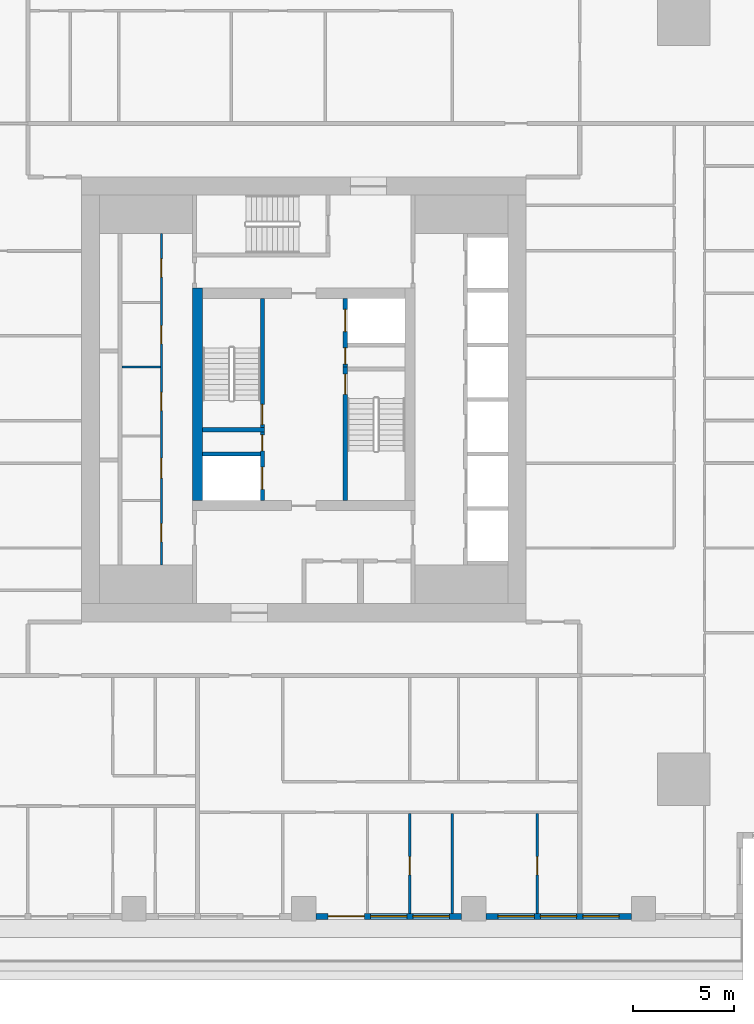
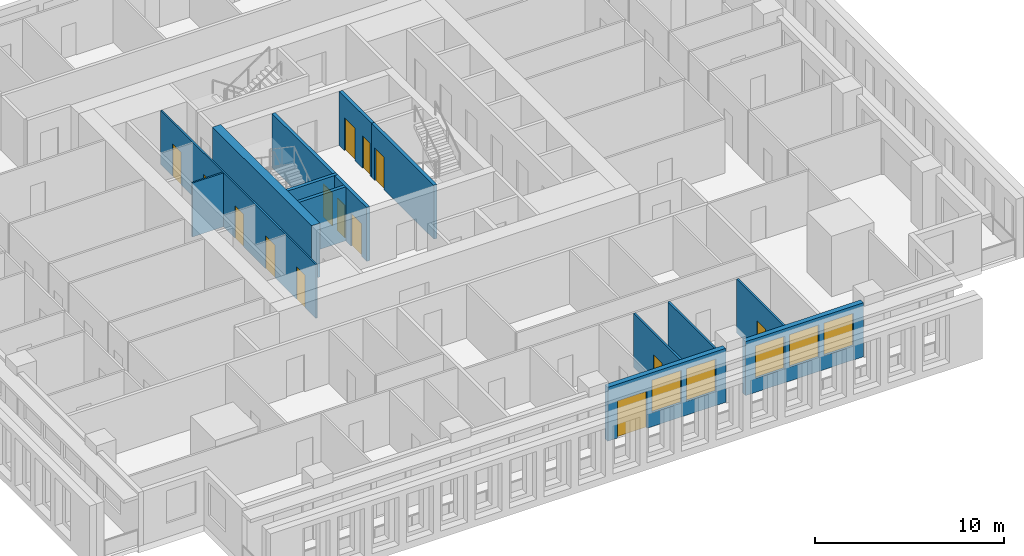
# One storey, part 4 of 16: 14 doors, 14 walls, 5 windows, 19 openings.
"""IFC4 building model written with IfcOpenShell, lengths in metres."""

from ifc_helpers import new_model, si_unit, direction, frame, frame_2d, origin, place, context, subcontext, project, spatial, rectangle, extrude, material, layer, layer_set, type_object, element, fill, save


model = new_model("IFC4")

# Units and contexts
model_context = context("Model", 3, precision=1e-05, world=origin(), true_north=direction((0.0, 1.0)))
body_context = subcontext(model_context, "Body", "Model", "MODEL_VIEW")
ifc_project = project(units=[si_unit("LENGTHUNIT", "METRE"), si_unit("AREAUNIT", "SQUARE_METRE"), si_unit("VOLUMEUNIT", "CUBIC_METRE"), si_unit("PLANEANGLEUNIT", "RADIAN"), si_unit("MASSUNIT", "GRAM", prefix="KILO")], contexts=[model_context])

# Site, building, storey
site_placement = place(None, origin())
site = spatial("IfcSite", under=ifc_project, at=site_placement, CompositionType="ELEMENT")
building_placement = place(site_placement, origin())
building = spatial("IfcBuilding", under=site, at=building_placement, Name="Khepri Terraces", CompositionType="ELEMENT")
storey_placement = place(building_placement, frame((0.0, 0.0, 168.89990234375)))
storey = spatial("IfcBuildingStorey", under=building, at=storey_placement, Name="L40", CompositionType="ELEMENT", Elevation=168.89990234375)

# Wall, opening, door
ifc_material_1 = material(Name="Concrete C60/75", Category="concrete")
ifc_layer_1 = layer(ifc_material_1, 0.199951171875, Name="Concrete C60/75", Category="concrete")
ifc_layer_set_1 = layer_set([ifc_layer_1], Name="Concrete C60/75")
wall_type_1 = type_object("IfcWallType", Name="Core wall 200 C60/75", PredefinedType="SHEAR", material=ifc_layer_set_1)
wall_1_placement = place(storey_placement, frame((2.050048828125, -5.0, 0.0), z_axis=(0.0, 0.0, 1.0), x_axis=(0.0, 1.0, 0.0)))
wall_1 = element("IfcWall", 1, at=wall_1_placement, inside=storey, type_object=wall_type_1, Name="Core wall ST01 L40", PredefinedType="SHEAR", context=body_context, shape_type="SweptSolid", body=[
    extrude(rectangle(XDim=6.60009765625, YDim=0.199951171875, at=frame_2d((3.300048828125, 0.0))), origin(), (0.0, 0.0, 1.0), 3.47998046875),
])
opening_1_placement = place(wall_1_placement, frame((5.25, 0.0, 0.0)))
opening_1 = element("IfcOpeningElement", 2, at=opening_1_placement, cuts=wall_1, Name="Opening L40-C10", PredefinedType="OPENING", context=body_context, shape_type="SweptSolid", body=[
    extrude(rectangle(XDim=1.0, YDim=2.10009765625, at=frame_2d((0.5, 1.050048828125))), frame((0.0, 0.10986328125, 0.0), z_axis=(0.0, -1.0, 0.0), x_axis=(1.0, 0.0, 0.0)), (0.0, 0.0, 1.0), 0.219970703125),
])
ifc_material_2 = material(Name="Painted steel", Category="steel")
door_type_1 = type_object("IfcDoorType", Name="DR-CORE-STAIR-1000", OperationType="NOTDEFINED", PredefinedType="DOOR", material=ifc_material_2)
door_1_placement = place(opening_1_placement, frame((1.0, 0.0, 0.0), z_axis=(0.0, 0.0, 1.0), x_axis=(-1.0, 0.0, 0.0)))
door_1 = element("IfcDoor", 3, at=door_1_placement, inside=storey, type_object=door_type_1, Name="Stair door L40-C10", OperationType="SINGLE_SWING_LEFT", OverallHeight=2.10009765625, OverallWidth=1.0, PredefinedType="DOOR", context=body_context, shape_type="SweptSolid", body=[
    extrude(rectangle(XDim=1.0, YDim=2.10009765625, at=frame_2d((0.5, 1.050048828125))), frame((0.0, 0.02490234375, 0.0), z_axis=(0.0, -1.0, 0.0), x_axis=(1.0, 0.0, 0.0)), (0.0, 0.0, 1.0), 0.050048828125),
])
fill(opening_1, door_1)

# Wall
wall_2_placement = place(storey_placement, frame((-5.0, -1.5, 0.0), z_axis=(0.0, 0.0, 1.0), x_axis=(1.0, 0.0, 0.0)))
element("IfcWall", 4, at=wall_2_placement, inside=storey, type_object=wall_type_1, Name="Core wall ST02 L40", PredefinedType="SHEAR", context=body_context, shape_type="SweptSolid", body=[
    extrude(rectangle(XDim=3.050048828125, YDim=0.199951171875, at=frame_2d((1.52490234375, 0.0))), origin(), (0.0, 0.0, 1.0), 3.47998046875),
])

# Wall, opening, door
wall_3_placement = place(storey_placement, frame((-2.050048828125, -1.39990234375, 0.0), z_axis=(0.0, 0.0, 1.0), x_axis=(0.0, 1.0, 0.0)))
wall_3 = element("IfcWall", 5, at=wall_3_placement, inside=storey, type_object=wall_type_1, Name="Core wall ST03 L40", PredefinedType="SHEAR", context=body_context, shape_type="SweptSolid", body=[
    extrude(rectangle(XDim=6.39990234375, YDim=0.199951171875, at=frame_2d((3.199951171875, 0.0))), origin(), (0.0, 0.0, 1.0), 3.47998046875),
])
opening_2_placement = place(wall_3_placement, frame((0.14990234375, 0.0, 0.0)))
opening_2 = element("IfcOpeningElement", 6, at=opening_2_placement, cuts=wall_3, Name="Opening L40-C09", PredefinedType="OPENING", context=body_context, shape_type="SweptSolid", body=[
    extrude(rectangle(XDim=1.0, YDim=2.10009765625, at=frame_2d((0.5, 1.050048828125))), frame((0.0, 0.10986328125, 0.0), z_axis=(0.0, -1.0, 0.0), x_axis=(1.0, 0.0, 0.0)), (0.0, 0.0, 1.0), 0.219970703125),
])
door_2_placement = place(opening_2_placement, origin())
door_2 = element("IfcDoor", 7, at=door_2_placement, inside=storey, type_object=door_type_1, Name="Stair door L40-C09", OperationType="SINGLE_SWING_LEFT", OverallHeight=2.10009765625, OverallWidth=1.0, PredefinedType="DOOR", context=body_context, shape_type="SweptSolid", body=[
    extrude(rectangle(XDim=1.0, YDim=2.10009765625, at=frame_2d((0.5, 1.050048828125))), frame((0.0, 0.02490234375, 0.0), z_axis=(0.0, -1.0, 0.0), x_axis=(1.0, 0.0, 0.0)), (0.0, 0.0, 1.0), 0.050048828125),
])
fill(opening_2, door_2)

# Wall, openings, doors
wall_4_placement = place(storey_placement, frame((-2.050048828125, -5.0, 0.0), z_axis=(0.0, 0.0, 1.0), x_axis=(0.0, 1.0, 0.0)))
wall_4 = element("IfcWall", 8, at=wall_4_placement, inside=storey, type_object=wall_type_1, Name="Core wall SH05 L40", PredefinedType="SHEAR", context=body_context, shape_type="SweptSolid", body=[
    extrude(rectangle(XDim=3.39990234375, YDim=0.199951171875, at=frame_2d((1.699951171875, 0.0))), origin(), (0.0, 0.0, 1.0), 3.47998046875),
])
opening_3_placement = place(wall_4_placement, frame((0.550048828125, 0.0, 0.0)))
opening_3 = element("IfcOpeningElement", 9, at=opening_3_placement, cuts=wall_4, Name="Opening L40-C08", PredefinedType="OPENING", context=body_context, shape_type="SweptSolid", body=[
    extrude(rectangle(XDim=1.10009765625, YDim=2.10009765625, at=frame_2d((0.550048828125, 1.050048828125))), frame((0.0, 0.10986328125, 0.0), z_axis=(0.0, -1.0, 0.0), x_axis=(1.0, 0.0, 0.0)), (0.0, 0.0, 1.0), 0.219970703125),
])
opening_4_placement = place(wall_4_placement, frame((2.449951171875, 0.0, 0.0)))
opening_4 = element("IfcOpeningElement", 10, at=opening_4_placement, cuts=wall_4, Name="Opening L40-C12", PredefinedType="OPENING", context=body_context, shape_type="SweptSolid", body=[
    extrude(rectangle(XDim=0.800048828125, YDim=2.10009765625, at=frame_2d((0.39990234375, 1.050048828125))), frame((0.0, 0.10986328125, 0.0), z_axis=(0.0, -1.0, 0.0), x_axis=(1.0, 0.0, 0.0)), (0.0, 0.0, 1.0), 0.219970703125),
])
ifc_material_3 = material(Name="Stainless steel 304", Category="steel")
door_type_2 = type_object("IfcDoorType", Name="DR-CORE-FF-LANDING-1100", OperationType="NOTDEFINED", PredefinedType="DOOR", material=ifc_material_3)
door_3_placement = place(opening_3_placement, origin())
door_3 = element("IfcDoor", 11, at=door_3_placement, inside=storey, type_object=door_type_2, Name="Firefighting lift landing door L40-C08", OperationType="SLIDING_TO_LEFT", OverallHeight=2.10009765625, OverallWidth=1.10009765625, PredefinedType="DOOR", context=body_context, shape_type="SweptSolid", body=[
    extrude(rectangle(XDim=1.10009765625, YDim=2.10009765625, at=frame_2d((0.550048828125, 1.050048828125))), frame((0.0, 0.02490234375, 0.0), z_axis=(0.0, -1.0, 0.0), x_axis=(1.0, 0.0, 0.0)), (0.0, 0.0, 1.0), 0.050048828125),
])
fill(opening_3, door_3)
door_type_3 = type_object("IfcDoorType", Name="DR-CORE-RISER-800", OperationType="NOTDEFINED", PredefinedType="DOOR", material=ifc_material_2)
door_4_placement = place(opening_4_placement, origin())
door_4 = element("IfcDoor", 12, at=door_4_placement, inside=storey, type_object=door_type_3, Name="Riser door L40-C12", OperationType="SINGLE_SWING_RIGHT", OverallHeight=2.10009765625, OverallWidth=0.800048828125, PredefinedType="DOOR", context=body_context, shape_type="SweptSolid", body=[
    extrude(rectangle(XDim=0.800048828125, YDim=2.10009765625, at=frame_2d((0.39990234375, 1.050048828125))), frame((0.0, 0.02490234375, 0.0), z_axis=(0.0, -1.0, 0.0), x_axis=(1.0, 0.0, 0.0)), (0.0, 0.0, 1.0), 0.050048828125),
])
fill(opening_4, door_4)

# Wall
wall_5_placement = place(storey_placement, frame((-5.0, -2.699951171875, 0.0), z_axis=(0.0, 0.0, 1.0), x_axis=(1.0, 0.0, 0.0)))
element("IfcWall", 13, at=wall_5_placement, inside=storey, type_object=wall_type_1, Name="Core wall SH07 L40", PredefinedType="SHEAR", context=body_context, shape_type="SweptSolid", body=[
    extrude(rectangle(XDim=2.85009765625, YDim=0.199951171875, at=frame_2d((1.425048828125, 0.0))), origin(), (0.0, 0.0, 1.0), 3.47998046875),
])

# Wall, openings, doors
wall_6_placement = place(storey_placement, frame((2.050048828125, 1.60009765625, 0.0), z_axis=(0.0, 0.0, 1.0), x_axis=(0.0, 1.0, 0.0)))
wall_6 = element("IfcWall", 14, at=wall_6_placement, inside=storey, type_object=wall_type_1, Name="Core wall SH10 L40", PredefinedType="SHEAR", context=body_context, shape_type="SweptSolid", body=[
    extrude(rectangle(XDim=3.39990234375, YDim=0.199951171875, at=frame_2d((1.699951171875, 0.0))), origin(), (0.0, 0.0, 1.0), 3.47998046875),
])
opening_5_placement = place(wall_6_placement, frame((1.75, 0.0, 0.0)))
opening_5 = element("IfcOpeningElement", 15, at=opening_5_placement, cuts=wall_6, Name="Opening L40-C07", PredefinedType="OPENING", context=body_context, shape_type="SweptSolid", body=[
    extrude(rectangle(XDim=1.10009765625, YDim=2.10009765625, at=frame_2d((0.550048828125, 1.050048828125))), frame((0.0, 0.10986328125, 0.0), z_axis=(0.0, -1.0, 0.0), x_axis=(1.0, 0.0, 0.0)), (0.0, 0.0, 1.0), 0.219970703125),
])
opening_6_placement = place(wall_6_placement, frame((0.14990234375, 0.0, 0.0)))
opening_6 = element("IfcOpeningElement", 16, at=opening_6_placement, cuts=wall_6, Name="Opening L40-C11", PredefinedType="OPENING", context=body_context, shape_type="SweptSolid", body=[
    extrude(rectangle(XDim=0.800048828125, YDim=2.10009765625, at=frame_2d((0.39990234375, 1.050048828125))), frame((0.0, 0.10986328125, 0.0), z_axis=(0.0, -1.0, 0.0), x_axis=(1.0, 0.0, 0.0)), (0.0, 0.0, 1.0), 0.219970703125),
])
door_5_placement = place(opening_5_placement, origin())
door_5 = element("IfcDoor", 17, at=door_5_placement, inside=storey, type_object=door_type_2, Name="Firefighting lift landing door L40-C07", OperationType="SLIDING_TO_LEFT", OverallHeight=2.10009765625, OverallWidth=1.10009765625, PredefinedType="DOOR", context=body_context, shape_type="SweptSolid", body=[
    extrude(rectangle(XDim=1.10009765625, YDim=2.10009765625, at=frame_2d((0.550048828125, 1.050048828125))), frame((0.0, 0.02490234375, 0.0), z_axis=(0.0, -1.0, 0.0), x_axis=(1.0, 0.0, 0.0)), (0.0, 0.0, 1.0), 0.050048828125),
])
fill(opening_5, door_5)
door_6_placement = place(opening_6_placement, frame((0.800048828125, 0.0, 0.0), z_axis=(0.0, 0.0, 1.0), x_axis=(-1.0, 0.0, 0.0)))
door_6 = element("IfcDoor", 18, at=door_6_placement, inside=storey, type_object=door_type_3, Name="Riser door L40-C11", OperationType="SINGLE_SWING_RIGHT", OverallHeight=2.10009765625, OverallWidth=0.800048828125, PredefinedType="DOOR", context=body_context, shape_type="SweptSolid", body=[
    extrude(rectangle(XDim=0.800048828125, YDim=2.10009765625, at=frame_2d((0.39990234375, 1.050048828125))), frame((0.0, 0.02490234375, 0.0), z_axis=(0.0, -1.0, 0.0), x_axis=(1.0, 0.0, 0.0)), (0.0, 0.0, 1.0), 0.050048828125),
])
fill(opening_6, door_6)

# Wall
ifc_layer_2 = layer(ifc_material_1, 0.5, Name="Concrete C60/75", Category="concrete")
ifc_layer_set_2 = layer_set([ifc_layer_2], Name="Concrete C60/75")
wall_type_2 = type_object("IfcWallType", Name="Core wall 500 C60/75", PredefinedType="SHEAR", material=ifc_layer_set_2)
wall_7_placement = place(storey_placement, frame((-5.25, -5.0, 0.0), z_axis=(0.0, 0.0, 1.0), x_axis=(0.0, 1.0, 0.0)))
element("IfcWall", 19, at=wall_7_placement, inside=storey, type_object=wall_type_2, Name="Core wall BX02 L40", PredefinedType="SHEAR", context=body_context, shape_type="SweptSolid", body=[
    extrude(rectangle(XDim=10.5, YDim=0.5, at=frame_2d((5.25, 0.0))), origin(), (0.0, 0.0, 1.0), 3.47998046875),
])

# Wall, openings, doors
ifc_material_4 = material(Name="Fire-rated gypsum board partition")
ifc_layer_3 = layer(ifc_material_4, 0.10009765625, Name="Fire-rated gypsum board partition")
ifc_layer_set_3 = layer_set([ifc_layer_3], Name="Fire-rated gypsum board partition")
wall_type_3 = type_object("IfcWallType", Name="WL-CORE-PART-100", PredefinedType="PARTITIONING", material=ifc_layer_set_3)
wall_8_placement = place(storey_placement, frame((-7.050048828125, -8.199951171875, 0.0), z_axis=(0.0, 0.0, 1.0), x_axis=(0.0, 1.0, 0.0)))
wall_8 = element("IfcWall", 20, at=wall_8_placement, inside=storey, type_object=wall_type_3, Name="Core partition PT05 L40", PredefinedType="PARTITIONING", context=body_context, shape_type="SweptSolid", body=[
    extrude(rectangle(XDim=16.39990234375, YDim=0.10009765625, at=frame_2d((8.199951171875, 0.0))), origin(), (0.0, 0.0, 1.0), 3.47998046875),
])
opening_7_placement = place(wall_8_placement, frame((1.14990234375, 0.0, 0.0)))
opening_7 = element("IfcOpeningElement", 21, at=opening_7_placement, cuts=wall_8, Name="Opening L40-C24", PredefinedType="OPENING", context=body_context, shape_type="SweptSolid", body=[
    extrude(rectangle(XDim=0.89990234375, YDim=2.10009765625, at=frame_2d((0.449951171875, 1.050048828125))), frame((0.0, 0.06005859375, 0.0), z_axis=(0.0, -1.0, 0.0), x_axis=(1.0, 0.0, 0.0)), (0.0, 0.0, 1.0), 0.1201171875),
])
opening_8_placement = place(wall_8_placement, frame((4.300048828125, 0.0, 0.0)))
opening_8 = element("IfcOpeningElement", 22, at=opening_8_placement, cuts=wall_8, Name="Opening L40-C25", PredefinedType="OPENING", context=body_context, shape_type="SweptSolid", body=[
    extrude(rectangle(XDim=1.0, YDim=2.10009765625, at=frame_2d((0.5, 1.050048828125))), frame((0.0, 0.06005859375, 0.0), z_axis=(0.0, -1.0, 0.0), x_axis=(1.0, 0.0, 0.0)), (0.0, 0.0, 1.0), 0.1201171875),
])
opening_9_placement = place(wall_8_placement, frame((7.64990234375, 0.0, 0.0)))
opening_9 = element("IfcOpeningElement", 23, at=opening_9_placement, cuts=wall_8, Name="Opening L40-C26", PredefinedType="OPENING", context=body_context, shape_type="SweptSolid", body=[
    extrude(rectangle(XDim=0.89990234375, YDim=2.10009765625, at=frame_2d((0.449951171875, 1.050048828125))), frame((0.0, 0.06005859375, 0.0), z_axis=(0.0, -1.0, 0.0), x_axis=(1.0, 0.0, 0.0)), (0.0, 0.0, 1.0), 0.1201171875),
])
opening_10_placement = place(wall_8_placement, frame((10.949951171875, 0.0, 0.0)))
opening_10 = element("IfcOpeningElement", 24, at=opening_10_placement, cuts=wall_8, Name="Opening L40-C27", PredefinedType="OPENING", context=body_context, shape_type="SweptSolid", body=[
    extrude(rectangle(XDim=0.89990234375, YDim=2.10009765625, at=frame_2d((0.449951171875, 1.050048828125))), frame((0.0, 0.06005859375, 0.0), z_axis=(0.0, -1.0, 0.0), x_axis=(1.0, 0.0, 0.0)), (0.0, 0.0, 1.0), 0.1201171875),
])
opening_11_placement = place(wall_8_placement, frame((14.25, 0.0, 0.0)))
opening_11 = element("IfcOpeningElement", 25, at=opening_11_placement, cuts=wall_8, Name="Opening L40-C28", PredefinedType="OPENING", context=body_context, shape_type="SweptSolid", body=[
    extrude(rectangle(XDim=0.89990234375, YDim=2.10009765625, at=frame_2d((0.449951171875, 1.050048828125))), frame((0.0, 0.06005859375, 0.0), z_axis=(0.0, -1.0, 0.0), x_axis=(1.0, 0.0, 0.0)), (0.0, 0.0, 1.0), 0.1201171875),
])
door_type_4 = type_object("IfcDoorType", Name="DR-CORE-SERVICE-900", OperationType="NOTDEFINED", PredefinedType="DOOR", material=ifc_material_2)
door_7_placement = place(opening_7_placement, origin())
door_7 = element("IfcDoor", 26, at=door_7_placement, inside=storey, type_object=door_type_4, Name="Service room door L40-C24", OperationType="SINGLE_SWING_LEFT", OverallHeight=2.10009765625, OverallWidth=0.89990234375, PredefinedType="DOOR", context=body_context, shape_type="SweptSolid", body=[
    extrude(rectangle(XDim=0.89990234375, YDim=2.10009765625, at=frame_2d((0.449951171875, 1.050048828125))), frame((0.0, 0.02490234375, 0.0), z_axis=(0.0, -1.0, 0.0), x_axis=(1.0, 0.0, 0.0)), (0.0, 0.0, 1.0), 0.050048828125),
])
fill(opening_7, door_7)
door_8_placement = place(opening_9_placement, origin())
door_8 = element("IfcDoor", 27, at=door_8_placement, inside=storey, type_object=door_type_4, Name="Service room door L40-C26", OperationType="SINGLE_SWING_LEFT", OverallHeight=2.10009765625, OverallWidth=0.89990234375, PredefinedType="DOOR", context=body_context, shape_type="SweptSolid", body=[
    extrude(rectangle(XDim=0.89990234375, YDim=2.10009765625, at=frame_2d((0.449951171875, 1.050048828125))), frame((0.0, 0.02490234375, 0.0), z_axis=(0.0, -1.0, 0.0), x_axis=(1.0, 0.0, 0.0)), (0.0, 0.0, 1.0), 0.050048828125),
])
fill(opening_9, door_8)
door_9_placement = place(opening_10_placement, origin())
door_9 = element("IfcDoor", 28, at=door_9_placement, inside=storey, type_object=door_type_4, Name="Service room door L40-C27", OperationType="SINGLE_SWING_RIGHT", OverallHeight=2.10009765625, OverallWidth=0.89990234375, PredefinedType="DOOR", context=body_context, shape_type="SweptSolid", body=[
    extrude(rectangle(XDim=0.89990234375, YDim=2.10009765625, at=frame_2d((0.449951171875, 1.050048828125))), frame((0.0, 0.02490234375, 0.0), z_axis=(0.0, -1.0, 0.0), x_axis=(1.0, 0.0, 0.0)), (0.0, 0.0, 1.0), 0.050048828125),
])
fill(opening_10, door_9)
door_10_placement = place(opening_11_placement, origin())
door_10 = element("IfcDoor", 29, at=door_10_placement, inside=storey, type_object=door_type_4, Name="Service room door L40-C28", OperationType="SINGLE_SWING_RIGHT", OverallHeight=2.10009765625, OverallWidth=0.89990234375, PredefinedType="DOOR", context=body_context, shape_type="SweptSolid", body=[
    extrude(rectangle(XDim=0.89990234375, YDim=2.10009765625, at=frame_2d((0.449951171875, 1.050048828125))), frame((0.0, 0.02490234375, 0.0), z_axis=(0.0, -1.0, 0.0), x_axis=(1.0, 0.0, 0.0)), (0.0, 0.0, 1.0), 0.050048828125),
])
fill(opening_11, door_10)
ifc_material_5 = material(Name="Timber veneer", Category="wood")
door_type_5 = type_object("IfcDoorType", Name="DR-CORE-WC-1000", OperationType="NOTDEFINED", PredefinedType="DOOR", material=ifc_material_5)
door_11_placement = place(opening_8_placement, origin())
door_11 = element("IfcDoor", 30, at=door_11_placement, inside=storey, type_object=door_type_5, Name="WC door L40-C25", OperationType="SINGLE_SWING_LEFT", OverallHeight=2.10009765625, OverallWidth=1.0, PredefinedType="DOOR", context=body_context, shape_type="SweptSolid", body=[
    extrude(rectangle(XDim=1.0, YDim=2.10009765625, at=frame_2d((0.5, 1.050048828125))), frame((0.0, 0.02490234375, 0.0), z_axis=(0.0, -1.0, 0.0), x_axis=(1.0, 0.0, 0.0)), (0.0, 0.0, 1.0), 0.050048828125),
])
fill(opening_8, door_11)

# Wall
wall_9_placement = place(storey_placement, frame((-9.0, 1.60009765625, 0.0), z_axis=(0.0, 0.0, 1.0), x_axis=(1.0, 0.0, 0.0)))
element("IfcWall", 31, at=wall_9_placement, inside=storey, type_object=wall_type_3, Name="Core partition PT10 L40", PredefinedType="PARTITIONING", context=body_context, shape_type="SweptSolid", body=[
    extrude(rectangle(XDim=1.89990234375, YDim=0.10009765625, at=frame_2d((0.949951171875, 0.0))), origin(), (0.0, 0.0, 1.0), 3.47998046875),
])

# Wall, openings, door, windows
ifc_material_6 = material(Name="Precast concrete C50/60 warm stone", Category="masonry")
ifc_layer_4 = layer(ifc_material_6, 0.300048828125, Name="Precast concrete C50/60 warm stone", Category="masonry")
ifc_layer_set_4 = layer_set([ifc_layer_4], Name="Precast concrete C50/60 warm stone")
wall_type_4 = type_object("IfcWallType", Name="WL-EXT-PRECAST-300", PredefinedType="STANDARD", material=ifc_layer_set_4)
wall_10_placement = place(storey_placement, frame((0.60009765625, -25.570068359375, 0.0), z_axis=(0.0, 0.0, 1.0), x_axis=(1.0, 0.0, 0.0)))
wall_10 = element("IfcWall", 32, at=wall_10_placement, inside=storey, type_object=wall_type_4, Name="External wall L40 S", PredefinedType="STANDARD", context=body_context, shape_type="SweptSolid", body=[
    extrude(rectangle(XDim=7.199951171875, YDim=0.300048828125, at=frame_2d((3.60009765625, 0.0))), origin(), (0.0, 0.0, 1.0), 3.47998046875),
])
opening_12_placement = place(wall_10_placement, frame((0.60009765625, 0.0, 0.0)))
opening_12 = element("IfcOpeningElement", 33, at=opening_12_placement, cuts=wall_10, Name="Opening ED-L40-14", PredefinedType="OPENING", context=body_context, shape_type="SweptSolid", body=[
    extrude(rectangle(XDim=1.800048828125, YDim=2.39990234375, at=frame_2d((0.89990234375, 1.199951171875))), frame((0.0, 0.16015625, 0.0), z_axis=(0.0, -1.0, 0.0), x_axis=(1.0, 0.0, 0.0)), (0.0, 0.0, 1.0), 0.320068359375),
])
opening_13_placement = place(wall_10_placement, frame((2.699951171875, 0.0, 0.89990234375)))
opening_13 = element("IfcOpeningElement", 34, at=opening_13_placement, cuts=wall_10, Name="Opening W1", PredefinedType="OPENING", context=body_context, shape_type="SweptSolid", body=[
    extrude(rectangle(XDim=1.800048828125, YDim=2.10009765625, at=frame_2d((0.89990234375, 1.050048828125))), frame((0.0, 0.16015625, 0.0), z_axis=(0.0, -1.0, 0.0), x_axis=(1.0, 0.0, 0.0)), (0.0, 0.0, 1.0), 0.320068359375),
])
opening_14_placement = place(wall_10_placement, frame((4.800048828125, 0.0, 0.89990234375)))
opening_14 = element("IfcOpeningElement", 35, at=opening_14_placement, cuts=wall_10, Name="Opening W1", PredefinedType="OPENING", context=body_context, shape_type="SweptSolid", body=[
    extrude(rectangle(XDim=1.800048828125, YDim=2.10009765625, at=frame_2d((0.89990234375, 1.050048828125))), frame((0.0, 0.16015625, 0.0), z_axis=(0.0, -1.0, 0.0), x_axis=(1.0, 0.0, 0.0)), (0.0, 0.0, 1.0), 0.320068359375),
])
ifc_material_7 = material(Name="Anodised aluminium bronze glazed door", Category="aluminium")
door_type_6 = type_object("IfcDoorType", Name="DR-BAL-SLIDE-1800x2400", OperationType="NOTDEFINED", PredefinedType="DOOR", material=ifc_material_7)
door_12_placement = place(opening_12_placement, origin())
door_12 = element("IfcDoor", 36, at=door_12_placement, inside=storey, type_object=door_type_6, Name="Balcony door L40 S", OperationType="SLIDING_TO_LEFT", OverallHeight=2.39990234375, OverallWidth=1.800048828125, PredefinedType="DOOR", context=body_context, shape_type="SweptSolid", body=[
    extrude(rectangle(XDim=1.800048828125, YDim=2.39990234375, at=frame_2d((0.89990234375, 1.199951171875))), frame((0.0, 0.02490234375, 0.0), z_axis=(0.0, -1.0, 0.0), x_axis=(1.0, 0.0, 0.0)), (0.0, 0.0, 1.0), 0.050048828125),
])
fill(opening_12, door_12)
ifc_material_8 = material(Name="Clear glass", Category="glass")
window_type = type_object("IfcWindowType", Name="WIN-RES-1800x2100", PartitioningType="SINGLE_PANEL", PredefinedType="WINDOW", material=ifc_material_8)
window_1_placement = place(opening_13_placement, origin())
window_1 = element("IfcWindow", 37, at=window_1_placement, inside=storey, type_object=window_type, Name="Window L40 S", OverallHeight=2.10009765625, OverallWidth=1.800048828125, PartitioningType="SINGLE_PANEL", PredefinedType="WINDOW", context=body_context, shape_type="SweptSolid", body=[
    extrude(rectangle(XDim=1.800048828125, YDim=2.10009765625, at=frame_2d((0.89990234375, 1.050048828125))), frame((0.0, 0.030029296875, 0.0), z_axis=(0.0, -1.0, 0.0), x_axis=(1.0, 0.0, 0.0)), (0.0, 0.0, 1.0), 0.06005859375),
])
fill(opening_13, window_1)
window_2_placement = place(opening_14_placement, origin())
window_2 = element("IfcWindow", 38, at=window_2_placement, inside=storey, type_object=window_type, Name="Window L40 S", OverallHeight=2.10009765625, OverallWidth=1.800048828125, PartitioningType="SINGLE_PANEL", PredefinedType="WINDOW", context=body_context, shape_type="SweptSolid", body=[
    extrude(rectangle(XDim=1.800048828125, YDim=2.10009765625, at=frame_2d((0.89990234375, 1.050048828125))), frame((0.0, 0.030029296875, 0.0), z_axis=(0.0, -1.0, 0.0), x_axis=(1.0, 0.0, 0.0)), (0.0, 0.0, 1.0), 0.06005859375),
])
fill(opening_14, window_2)

# Wall, openings, windows
wall_11_placement = place(storey_placement, frame((9.0, -25.570068359375, 0.0), z_axis=(0.0, 0.0, 1.0), x_axis=(1.0, 0.0, 0.0)))
wall_11 = element("IfcWall", 39, at=wall_11_placement, inside=storey, type_object=wall_type_4, Name="External wall L40 S", PredefinedType="STANDARD", context=body_context, shape_type="SweptSolid", body=[
    extrude(rectangle(XDim=7.199951171875, YDim=0.300048828125, at=frame_2d((3.60009765625, 0.0))), origin(), (0.0, 0.0, 1.0), 3.47998046875),
])
opening_15_placement = place(wall_11_placement, frame((0.60009765625, 0.0, 0.89990234375)))
opening_15 = element("IfcOpeningElement", 40, at=opening_15_placement, cuts=wall_11, Name="Opening W1", PredefinedType="OPENING", context=body_context, shape_type="SweptSolid", body=[
    extrude(rectangle(XDim=1.800048828125, YDim=2.10009765625, at=frame_2d((0.89990234375, 1.050048828125))), frame((0.0, 0.16015625, 0.0), z_axis=(0.0, -1.0, 0.0), x_axis=(1.0, 0.0, 0.0)), (0.0, 0.0, 1.0), 0.320068359375),
])
opening_16_placement = place(wall_11_placement, frame((2.699951171875, 0.0, 0.89990234375)))
opening_16 = element("IfcOpeningElement", 41, at=opening_16_placement, cuts=wall_11, Name="Opening W1", PredefinedType="OPENING", context=body_context, shape_type="SweptSolid", body=[
    extrude(rectangle(XDim=1.800048828125, YDim=2.10009765625, at=frame_2d((0.89990234375, 1.050048828125))), frame((0.0, 0.16015625, 0.0), z_axis=(0.0, -1.0, 0.0), x_axis=(1.0, 0.0, 0.0)), (0.0, 0.0, 1.0), 0.320068359375),
])
opening_17_placement = place(wall_11_placement, frame((4.800048828125, 0.0, 0.89990234375)))
opening_17 = element("IfcOpeningElement", 42, at=opening_17_placement, cuts=wall_11, Name="Opening W1", PredefinedType="OPENING", context=body_context, shape_type="SweptSolid", body=[
    extrude(rectangle(XDim=1.800048828125, YDim=2.10009765625, at=frame_2d((0.89990234375, 1.050048828125))), frame((0.0, 0.16015625, 0.0), z_axis=(0.0, -1.0, 0.0), x_axis=(1.0, 0.0, 0.0)), (0.0, 0.0, 1.0), 0.320068359375),
])
window_3_placement = place(opening_15_placement, origin())
window_3 = element("IfcWindow", 43, at=window_3_placement, inside=storey, type_object=window_type, Name="Window L40 S", OverallHeight=2.10009765625, OverallWidth=1.800048828125, PartitioningType="SINGLE_PANEL", PredefinedType="WINDOW", context=body_context, shape_type="SweptSolid", body=[
    extrude(rectangle(XDim=1.800048828125, YDim=2.10009765625, at=frame_2d((0.89990234375, 1.050048828125))), frame((0.0, 0.030029296875, 0.0), z_axis=(0.0, -1.0, 0.0), x_axis=(1.0, 0.0, 0.0)), (0.0, 0.0, 1.0), 0.06005859375),
])
fill(opening_15, window_3)
window_4_placement = place(opening_16_placement, origin())
window_4 = element("IfcWindow", 44, at=window_4_placement, inside=storey, type_object=window_type, Name="Window L40 S", OverallHeight=2.10009765625, OverallWidth=1.800048828125, PartitioningType="SINGLE_PANEL", PredefinedType="WINDOW", context=body_context, shape_type="SweptSolid", body=[
    extrude(rectangle(XDim=1.800048828125, YDim=2.10009765625, at=frame_2d((0.89990234375, 1.050048828125))), frame((0.0, 0.030029296875, 0.0), z_axis=(0.0, -1.0, 0.0), x_axis=(1.0, 0.0, 0.0)), (0.0, 0.0, 1.0), 0.06005859375),
])
fill(opening_16, window_4)
window_5_placement = place(opening_17_placement, origin())
window_5 = element("IfcWindow", 45, at=window_5_placement, inside=storey, type_object=window_type, Name="Window L40 S", OverallHeight=2.10009765625, OverallWidth=1.800048828125, PartitioningType="SINGLE_PANEL", PredefinedType="WINDOW", context=body_context, shape_type="SweptSolid", body=[
    extrude(rectangle(XDim=1.800048828125, YDim=2.10009765625, at=frame_2d((0.89990234375, 1.050048828125))), frame((0.0, 0.030029296875, 0.0), z_axis=(0.0, -1.0, 0.0), x_axis=(1.0, 0.0, 0.0)), (0.0, 0.0, 1.0), 0.06005859375),
])
fill(opening_17, window_5)

# Wall, opening, door
ifc_material_9 = material(Name="Gypsum plasterboard partition")
ifc_layer_5 = layer(ifc_material_9, 0.1201171875, Name="Gypsum plasterboard partition")
ifc_layer_set_5 = layer_set([ifc_layer_5], Name="Gypsum plasterboard partition")
wall_type_5 = type_object("IfcWallType", Name="WL-PART-120", PredefinedType="PARTITIONING", material=ifc_layer_set_5)
wall_12_placement = place(storey_placement, frame((5.25, -25.419921875, 0.0), z_axis=(0.0, 0.0, 1.0), x_axis=(0.0, 1.0, 0.0)))
wall_12 = element("IfcWall", 46, at=wall_12_placement, inside=storey, type_object=wall_type_5, Name="Partition P-007 L40", PredefinedType="PARTITIONING", context=body_context, shape_type="SweptSolid", body=[
    extrude(rectangle(XDim=4.93994140625, YDim=0.1201171875, at=frame_2d((2.469970703125, 0.0))), origin(), (0.0, 0.0, 1.0), 3.47998046875),
])
opening_18_placement = place(wall_12_placement, frame((1.89990234375, 0.0, 0.0)))
opening_18 = element("IfcOpeningElement", 47, at=opening_18_placement, cuts=wall_12, Name="Opening D4", PredefinedType="OPENING", context=body_context, shape_type="SweptSolid", body=[
    extrude(rectangle(XDim=0.89990234375, YDim=2.10009765625, at=frame_2d((0.449951171875, 1.050048828125))), frame((0.0, 0.070068359375, 0.0), z_axis=(0.0, -1.0, 0.0), x_axis=(1.0, 0.0, 0.0)), (0.0, 0.0, 1.0), 0.14013671875),
])
ifc_material_10 = material(Name="Timber door leaf, moisture resistant", Category="wood")
door_type_7 = type_object("IfcDoorType", Name="DR-WET-900", OperationType="NOTDEFINED", PredefinedType="DOOR", material=ifc_material_10)
door_13_placement = place(opening_18_placement, frame((0.89990234375, 0.0, 0.0), z_axis=(0.0, 0.0, 1.0), x_axis=(-1.0, 0.0, 0.0)))
door_13 = element("IfcDoor", 48, at=door_13_placement, inside=storey, type_object=door_type_7, Name="Door Bathroom", OperationType="SINGLE_SWING_RIGHT", OverallHeight=2.10009765625, OverallWidth=0.89990234375, PredefinedType="DOOR", context=body_context, shape_type="SweptSolid", body=[
    extrude(rectangle(XDim=0.89990234375, YDim=2.10009765625, at=frame_2d((0.449951171875, 1.050048828125))), frame((0.0, 0.02490234375, 0.0), z_axis=(0.0, -1.0, 0.0), x_axis=(1.0, 0.0, 0.0)), (0.0, 0.0, 1.0), 0.050048828125),
])
fill(opening_18, door_13)

# Wall
wall_13_placement = place(storey_placement, frame((7.35009765625, -25.419921875, 0.0), z_axis=(0.0, 0.0, 1.0), x_axis=(0.0, 1.0, 0.0)))
element("IfcWall", 49, at=wall_13_placement, inside=storey, type_object=wall_type_5, Name="Partition P-008 L40", PredefinedType="PARTITIONING", context=body_context, shape_type="SweptSolid", body=[
    extrude(rectangle(XDim=4.93994140625, YDim=0.1201171875, at=frame_2d((2.469970703125, 0.0))), origin(), (0.0, 0.0, 1.0), 3.47998046875),
])

# Wall, opening, door
wall_14_placement = place(storey_placement, frame((11.550048828125, -25.419921875, 0.0), z_axis=(0.0, 0.0, 1.0), x_axis=(0.0, 1.0, 0.0)))
wall_14 = element("IfcWall", 50, at=wall_14_placement, inside=storey, type_object=wall_type_5, Name="Partition P-009 L40", PredefinedType="PARTITIONING", context=body_context, shape_type="SweptSolid", body=[
    extrude(rectangle(XDim=4.93994140625, YDim=0.1201171875, at=frame_2d((2.469970703125, 0.0))), origin(), (0.0, 0.0, 1.0), 3.47998046875),
])
opening_19_placement = place(wall_14_placement, frame((1.89990234375, 0.0, 0.0)))
opening_19 = element("IfcOpeningElement", 51, at=opening_19_placement, cuts=wall_14, Name="Opening D4", PredefinedType="OPENING", context=body_context, shape_type="SweptSolid", body=[
    extrude(rectangle(XDim=0.89990234375, YDim=2.10009765625, at=frame_2d((0.449951171875, 1.050048828125))), frame((0.0, 0.070068359375, 0.0), z_axis=(0.0, -1.0, 0.0), x_axis=(1.0, 0.0, 0.0)), (0.0, 0.0, 1.0), 0.14013671875),
])
door_14_placement = place(opening_19_placement, frame((0.89990234375, 0.0, 0.0), z_axis=(0.0, 0.0, 1.0), x_axis=(-1.0, 0.0, 0.0)))
door_14 = element("IfcDoor", 52, at=door_14_placement, inside=storey, type_object=door_type_7, Name="Door Bathroom", OperationType="SINGLE_SWING_RIGHT", OverallHeight=2.10009765625, OverallWidth=0.89990234375, PredefinedType="DOOR", context=body_context, shape_type="SweptSolid", body=[
    extrude(rectangle(XDim=0.89990234375, YDim=2.10009765625, at=frame_2d((0.449951171875, 1.050048828125))), frame((0.0, 0.02490234375, 0.0), z_axis=(0.0, -1.0, 0.0), x_axis=(1.0, 0.0, 0.0)), (0.0, 0.0, 1.0), 0.050048828125),
])
fill(opening_19, door_14)

save(model, "model.ifc")
